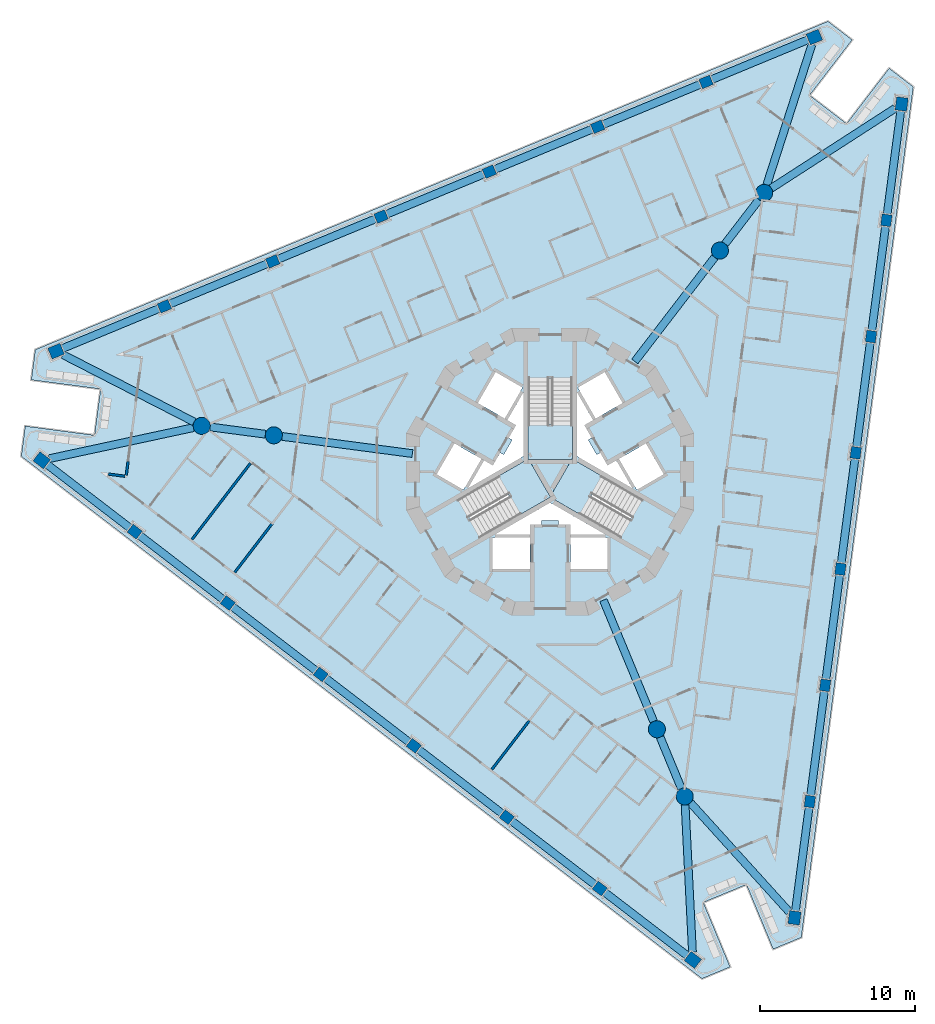
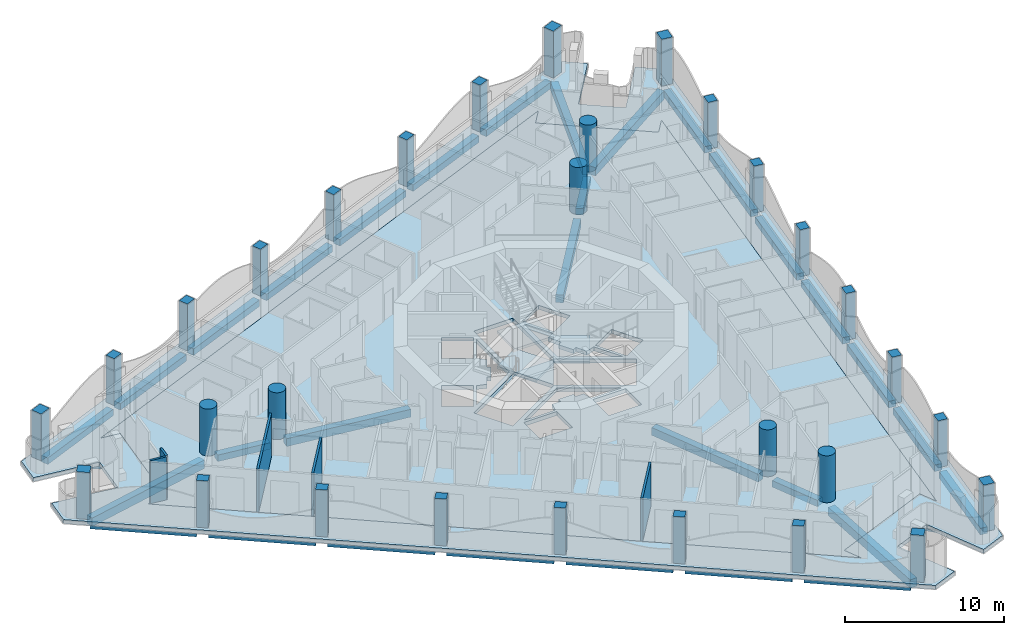
# One storey, part 1 of 18: 33 beams, 30 columns, 6 slabs, 5 walls, 3 elements without a shape of their own.
"""IFC4 building model written with IfcOpenShell, lengths in metres."""

from ifc_helpers import new_model, si_unit, direction, frame, frame_2d, origin, origin_2d, place, context, subcontext, project, spatial, polyline, rectangle, circle, outline, extrude, material, layer, layer_set, material_profile, profile_set, type_object, element, aggregate, save


model = new_model("IFC4")

# Units and contexts
model_context = context("Model", 3, precision=1e-05, world=origin(), true_north=direction((0.0, 1.0)))
body_context = subcontext(model_context, "Body", "Model", "MODEL_VIEW")
ifc_project = project(units=[si_unit("LENGTHUNIT", "METRE"), si_unit("AREAUNIT", "SQUARE_METRE"), si_unit("VOLUMEUNIT", "CUBIC_METRE"), si_unit("PLANEANGLEUNIT", "RADIAN"), si_unit("MASSUNIT", "GRAM", prefix="KILO")], contexts=[model_context])

# Site, building, storey
site_placement = place(None, origin())
site = spatial("IfcSite", under=ifc_project, at=site_placement, CompositionType="ELEMENT")
building_placement = place(site_placement, origin())
building = spatial("IfcBuilding", under=site, at=building_placement, Name="Trine Commons Tower", CompositionType="ELEMENT")
storey_placement = place(building_placement, frame((0.0, 0.0, 145.800048828125)))
storey = spatial("IfcBuildingStorey", under=building, at=storey_placement, Name="L37", CompositionType="ELEMENT", Elevation=145.800048828125)

# Columns
ifc_material_1 = material(Name="Concrete C70/85", Category="concrete")
ifc_material_profile_1 = material_profile(ifc_material_1, rectangle(XDim=0.75, YDim=0.64990234375, at=origin_2d()), Name="RC 750x650")
ifc_profile_set_1 = profile_set([ifc_material_profile_1], Name="Concrete C70/85")
column_type_1 = type_object("IfcColumnType", Name="RC column 750x650, C70/85", PredefinedType="COLUMN", material=ifc_profile_set_1)
for number, where, z_axis, x_axis, name in (
    (1, (83.197021484375, 35.652587890625, 0.0), (0.0, 0.0, 1.0), (-0.793353340291, 0.608761429009, 0.0), "Column PC4-02 L37"),
    (2, (77.20556640625, 40.25, 0.0), (0.0, 0.0, 1.0), (-0.793353340291, 0.608761429009, 0.0), "Column PC4-03 L37"),
    (3, (71.214111328125, 44.847412109375, 0.0), (0.0, 0.0, 1.0), (-0.793353340291, 0.608761429009, 0.0), "Column PC4-04 L37"),
    (4, (65.222900390625, 49.444580078125, 0.0), (0.0, 0.0, 1.0), (-0.793353340291, 0.608761429009, 0.0), "Column PC4-05 L37"),
    (5, (59.2314453125, 54.0419921875, 0.0), (0.0, 0.0, 1.0), (-0.793353340291, 0.608761429009, 0.0), "Column PC4-06 L37"),
    (6, (53.239990234375, 58.639404296875, 0.0), (0.0, 0.0, 1.0), (-0.793353340291, 0.608761429009, 0.0), "Column PC4-07 L37"),
    (7, (55.151123046875, 73.155029296875, 0.0), (0.0, 0.0, 1.0), (0.923879532511, 0.382683432365, 0.0), "Column PC4-10 L37"),
    (8, (62.128173828125, 76.044921875, 0.0), (0.0, 0.0, 1.0), (0.923879532511, 0.382683432365, 0.0), "Column PC4-11 L37"),
    (9, (69.105224609375, 78.93505859375, 0.0), (0.0, 0.0, 1.0), (0.923879532511, 0.382683432365, 0.0), "Column PC4-12 L37"),
    (10, (76.08251953125, 81.8251953125, 0.0), (0.0, 0.0, 1.0), (0.923879532511, 0.382683432365, 0.0), "Column PC4-13 L37"),
    (11, (83.0595703125, 84.715087890625, 0.0), (0.0, 0.0, 1.0), (0.923879532511, 0.382683432365, 0.0), "Column PC4-14 L37"),
    (12, (90.03662109375, 87.60498046875, 0.0), (0.0, 0.0, 1.0), (0.923879532511, 0.382683432365, 0.0), "Column PC4-15 L37"),
    (13, (101.652099609375, 78.692138671875, 0.0), (0.0, 0.0, 1.0), (0.13052619222, 0.991444861374, 0.0), "Column PC4-18 L37"),
    (14, (100.666259765625, 71.204833984375, 0.0), (0.0, 0.0, 1.0), (0.13052619222, 0.991444861374, 0.0), "Column PC4-19 L37"),
    (15, (99.680419921875, 63.717529296875, 0.0), (0.0, 0.0, 1.0), (0.13052619222, 0.991444861374, 0.0), "Column PC4-20 L37"),
    (16, (98.69482421875, 56.230224609375, 0.0), (0.0, 0.0, 1.0), (0.13052619222, 0.991444861374, 0.0), "Column PC4-21 L37"),
    (17, (97.708984375, 48.742919921875, 0.0), (0.0, 0.0, 1.0), (0.13052619222, 0.991444861374, 0.0), "Column PC4-22 L37"),
    (18, (96.723388671875, 41.255615234375, 0.0), (0.0, 0.0, 1.0), (0.13052619222, 0.991444861374, 0.0), "Column PC4-23 L37"),
):
    element("IfcColumn", number, at=place(storey_placement, frame(where, z_axis=z_axis, x_axis=x_axis)), inside=storey, type_object=column_type_1, Name=name, PredefinedType="COLUMN", context=body_context, shape_type="SweptSolid", body=[
        extrude(rectangle(XDim=0.75, YDim=0.64990234375, at=origin_2d()), origin(), (0.0, 0.0, 1.0), 3.599853515625),
    ])
ifc_material_profile_2 = material_profile(ifc_material_1, rectangle(XDim=0.85009765625, YDim=0.75, at=origin_2d()), Name="RC 850x750")
ifc_profile_set_2 = profile_set([ifc_material_profile_2], Name="Concrete C70/85")
column_type_2 = type_object("IfcColumnType", Name="RC column 850x750, C70/85", PredefinedType="COLUMN", material=ifc_profile_set_2)
for number, where, z_axis, x_axis, name in (
    (19, (89.188232421875, 31.055419921875, 0.0), (0.0, 0.0, 1.0), (-0.793353340291, 0.608761429009, 0.0), "Column PC4-01 L37"),
    (20, (47.248779296875, 63.23681640625, 0.0), (0.0, 0.0, 1.0), (-0.793353340291, 0.608761429009, 0.0), "Column PC4-08 L37"),
    (21, (48.174072265625, 70.264892578125, 0.0), (0.0, 0.0, 1.0), (0.923879532511, 0.382683432365, 0.0), "Column PC4-09 L37"),
    (22, (97.013671875, 90.4951171875, 0.0), (0.0, 0.0, 1.0), (0.923879532511, 0.382683432365, 0.0), "Column PC4-16 L37"),
    (23, (102.6376953125, 86.1796875, 0.0), (0.0, 0.0, 1.0), (0.13052619222, 0.991444861374, 0.0), "Column PC4-17 L37"),
    (24, (95.737548828125, 33.768310546875, 0.0), (0.0, 0.0, 1.0), (0.13052619222, 0.991444861374, 0.0), "Column PC4-24 L37"),
):
    element("IfcColumn", number, at=place(storey_placement, frame(where, z_axis=z_axis, x_axis=x_axis)), inside=storey, type_object=column_type_2, Name=name, PredefinedType="COLUMN", context=body_context, shape_type="SweptSolid", body=[
        extrude(rectangle(XDim=0.85009765625, YDim=0.75, at=origin_2d()), origin(), (0.0, 0.0, 1.0), 3.599853515625),
    ])
ifc_material_profile_3 = material_profile(ifc_material_1, circle(Radius=0.550048828125, at=origin_2d()), Name="RC round 1100")
ifc_profile_set_3 = profile_set([ifc_material_profile_3], Name="Concrete C70/85")
column_type_3 = type_object("IfcColumnType", Name="RC round column 1100 mm, C70/85", PredefinedType="COLUMN", material=ifc_profile_set_3)
for number, where, z_axis, x_axis, name in (
    (25, (86.87109375, 45.912109375, 0.0), (0.0, 0.0, 1.0), (1.0, 0.0, 0.0), "Column WC4-1 L37"),
    (26, (88.66259765625, 41.58642578125, 0.0), (0.0, 0.0, 1.0), (1.0, 0.0, 0.0), "Column WC4-2 L37"),
    (27, (90.93017578125, 76.744384765625, 0.0), (0.0, 0.0, 1.0), (1.0, 0.0, 0.0), "Column WC4-3 L37"),
    (28, (93.7802734375, 80.458984375, 0.0), (0.0, 0.0, 1.0), (1.0, 0.0, 0.0), "Column WC4-4 L37"),
    (29, (62.198974609375, 64.843505859375, 0.0), (0.0, 0.0, 1.0), (1.0, 0.0, 0.0), "Column WC4-5 L37"),
    (30, (57.556884765625, 65.45458984375, 0.0), (0.0, 0.0, 1.0), (1.0, 0.0, 0.0), "Column WC4-6 L37"),
):
    element("IfcColumn", number, at=place(storey_placement, frame(where, z_axis=z_axis, x_axis=x_axis)), inside=storey, type_object=column_type_3, Name=name, PredefinedType="COLUMN", context=body_context, shape_type="SweptSolid", body=[
        extrude(circle(Radius=0.550048828125, at=origin_2d()), origin(), (0.0, 0.0, 1.0), 3.599853515625),
    ])

# Beams
ifc_material_2 = material(Name="Concrete C50/60", Category="concrete")
ifc_material_profile_4 = material_profile(ifc_material_2, rectangle(XDim=0.5, YDim=0.5, at=origin_2d()), Name="RC 500x500")
ifc_profile_set_4 = profile_set([ifc_material_profile_4], Name="Concrete C50/60")
beam_type_1 = type_object("IfcBeamType", Name="RC beam 500x500, C50/60", PredefinedType="BEAM", material=ifc_profile_set_4)
beam_1_placement = place(storey_placement, frame((88.85107421875, 31.314208984375, -0.550048828125), z_axis=(-0.793369431695, 0.608740457709, 0.0), x_axis=(-0.608740457709, -0.793369431695, 0.0)))
element("IfcBeam", 31, at=beam_1_placement, inside=storey, type_object=beam_type_1, Name="Beam EB4-01 L37", PredefinedType="BEAM", context=body_context, shape_type="SweptSolid", body=[
    extrude(rectangle(XDim=0.5, YDim=0.5, at=origin_2d()), origin(), (0.0, 0.0, 1.0), 6.751708984375),
])
beam_2_placement = place(storey_placement, frame((82.8994140625, 35.881103515625, -0.550048828125), z_axis=(-0.793370600973, 0.60873893379, 0.0), x_axis=(-0.60873893379, -0.793370600973, 0.0)))
element("IfcBeam", 32, at=beam_2_placement, inside=storey, type_object=beam_type_1, Name="Beam EB4-02 L37", PredefinedType="BEAM", context=body_context, shape_type="SweptSolid", body=[
    extrude(rectangle(XDim=0.5, YDim=0.5, at=origin_2d()), origin(), (0.0, 0.0, 1.0), 6.802001953125),
])
beam_3_placement = place(storey_placement, frame((76.907958984375, 40.478515625, -0.550048828125), z_axis=(-0.793357299922, 0.608756268682, 0.0), x_axis=(-0.608756268682, -0.793357299922, 0.0)))
element("IfcBeam", 33, at=beam_3_placement, inside=storey, type_object=beam_type_1, Name="Beam EB4-03 L37", PredefinedType="BEAM", context=body_context, shape_type="SweptSolid", body=[
    extrude(rectangle(XDim=0.5, YDim=0.5, at=origin_2d()), origin(), (0.0, 0.0, 1.0), 6.8017578125),
])
beam_4_placement = place(storey_placement, frame((70.916748046875, 45.07568359375, -0.550048828125), z_axis=(-0.793370600973, 0.60873893379, 0.0), x_axis=(-0.60873893379, -0.793370600973, 0.0)))
element("IfcBeam", 34, at=beam_4_placement, inside=storey, type_object=beam_type_1, Name="Beam EB4-04 L37", PredefinedType="BEAM", context=body_context, shape_type="SweptSolid", body=[
    extrude(rectangle(XDim=0.5, YDim=0.5, at=origin_2d()), origin(), (0.0, 0.0, 1.0), 6.802001953125),
])
beam_5_placement = place(storey_placement, frame((64.92529296875, 49.673095703125, -0.550048828125), z_axis=(-0.793357299922, 0.608756268682, 0.0), x_axis=(-0.608756268682, -0.793357299922, 0.0)))
element("IfcBeam", 35, at=beam_5_placement, inside=storey, type_object=beam_type_1, Name="Beam EB4-05 L37", PredefinedType="BEAM", context=body_context, shape_type="SweptSolid", body=[
    extrude(rectangle(XDim=0.5, YDim=0.5, at=origin_2d()), origin(), (0.0, 0.0, 1.0), 6.8017578125),
])
beam_6_placement = place(storey_placement, frame((58.93408203125, 54.2705078125, -0.550048828125), z_axis=(-0.793370600973, 0.60873893379, 0.0), x_axis=(-0.60873893379, -0.793370600973, 0.0)))
element("IfcBeam", 36, at=beam_6_placement, inside=storey, type_object=beam_type_1, Name="Beam EB4-06 L37", PredefinedType="BEAM", context=body_context, shape_type="SweptSolid", body=[
    extrude(rectangle(XDim=0.5, YDim=0.5, at=origin_2d()), origin(), (0.0, 0.0, 1.0), 6.802001953125),
])
for number, where, z_axis, x_axis, name in (
    (37, (52.942626953125, 58.86767578125, -0.550048828125), (-0.793351968439, 0.608763216838, 0.0), (-0.608763216838, -0.793351968439, 0.0), "Beam EB4-07 L37"),
    (38, (48.566650390625, 70.427490234375, -0.550048828125), (0.923874044744, 0.382696680739, 0.0), (-0.382696680739, 0.923874044744, 0.0), "Beam EB4-08 L37"),
):
    element("IfcBeam", number, at=place(storey_placement, frame(where, z_axis=z_axis, x_axis=x_axis)), inside=storey, type_object=beam_type_1, Name=name, PredefinedType="BEAM", context=body_context, shape_type="SweptSolid", body=[
        extrude(rectangle(XDim=0.5, YDim=0.5, at=origin_2d()), origin(), (0.0, 0.0, 1.0), 6.751953125),
    ])
for number, where, z_axis, x_axis, name in (
    (39, (55.49755859375, 73.298583984375, -0.550048828125), (0.923877719045, 0.38268781043, 0.0), (-0.38268781043, 0.923877719045, 0.0), "Beam EB4-09 L37"),
    (40, (62.474609375, 76.1884765625, -0.550048828125), (0.923877719045, 0.38268781043, 0.0), (-0.38268781043, 0.923877719045, 0.0), "Beam EB4-10 L37"),
):
    element("IfcBeam", number, at=place(storey_placement, frame(where, z_axis=z_axis, x_axis=x_axis)), inside=storey, type_object=beam_type_1, Name=name, PredefinedType="BEAM", context=body_context, shape_type="SweptSolid", body=[
        extrude(rectangle(XDim=0.5, YDim=0.5, at=origin_2d()), origin(), (0.0, 0.0, 1.0), 6.802001953125),
    ])
for number, where, z_axis, x_axis, name in (
    (41, (69.451904296875, 79.07861328125, -0.550048828125), (0.923872462302, 0.382700500915, 0.0), (-0.382700500915, 0.923872462302, 0.0), "Beam EB4-11 L37"),
    (42, (76.428955078125, 81.968505859375, -0.550048828125), (0.923872462302, 0.382700500915, 0.0), (-0.382700500915, 0.923872462302, 0.0), "Beam EB4-12 L37"),
):
    element("IfcBeam", number, at=place(storey_placement, frame(where, z_axis=z_axis, x_axis=x_axis)), inside=storey, type_object=beam_type_1, Name=name, PredefinedType="BEAM", context=body_context, shape_type="SweptSolid", body=[
        extrude(rectangle(XDim=0.5, YDim=0.5, at=origin_2d()), origin(), (0.0, 0.0, 1.0), 6.8017578125),
    ])
beam_7_placement = place(storey_placement, frame((83.406005859375, 84.858642578125, -0.550048828125), z_axis=(0.923877719045, 0.38268781043, 0.0), x_axis=(-0.38268781043, 0.923877719045, 0.0)))
element("IfcBeam", 43, at=beam_7_placement, inside=storey, type_object=beam_type_1, Name="Beam EB4-13 L37", PredefinedType="BEAM", context=body_context, shape_type="SweptSolid", body=[
    extrude(rectangle(XDim=0.5, YDim=0.5, at=origin_2d()), origin(), (0.0, 0.0, 1.0), 6.802001953125),
])
beam_8_placement = place(storey_placement, frame((90.383056640625, 87.74853515625, -0.550048828125), z_axis=(0.923874044744, 0.382696680739, 0.0), x_axis=(-0.382696680739, 0.923874044744, 0.0)))
element("IfcBeam", 44, at=beam_8_placement, inside=storey, type_object=beam_type_1, Name="Beam EB4-14 L37", PredefinedType="BEAM", context=body_context, shape_type="SweptSolid", body=[
    extrude(rectangle(XDim=0.5, YDim=0.5, at=origin_2d()), origin(), (0.0, 0.0, 1.0), 6.751953125),
])
beam_9_placement = place(storey_placement, frame((102.582275390625, 85.75830078125, -0.550048828125), z_axis=(-0.130529338233, -0.991444447188, 0.0), x_axis=(0.991444447188, -0.130529338233, 0.0)))
element("IfcBeam", 45, at=beam_9_placement, inside=storey, type_object=beam_type_1, Name="Beam EB4-15 L37", PredefinedType="BEAM", context=body_context, shape_type="SweptSolid", body=[
    extrude(rectangle(XDim=0.5, YDim=0.5, at=origin_2d()), origin(), (0.0, 0.0, 1.0), 6.752197265625),
])
for number, where, z_axis, x_axis, name in (
    (46, (101.60302734375, 78.3203125, -0.550048828125), (-0.13054364647, -0.991442563322, 0.0), (0.991442563322, -0.13054364647, 0.0), "Beam EB4-16 L37"),
    (47, (100.6171875, 70.8330078125, -0.550048828125), (-0.13050836468, -0.991447208251, 0.0), (0.991447208251, -0.13050836468, 0.0), "Beam EB4-17 L37"),
    (48, (99.631591796875, 63.345703125, -0.550048828125), (-0.13054364647, -0.991442563322, 0.0), (0.991442563322, -0.13054364647, 0.0), "Beam EB4-18 L37"),
    (49, (98.64599609375, 55.8583984375, -0.550048828125), (-0.13054364647, -0.991442563322, 0.0), (0.991442563322, -0.13054364647, 0.0), "Beam EB4-19 L37"),
    (50, (97.66015625, 48.37109375, -0.550048828125), (-0.13054364647, -0.991442563322, 0.0), (0.991442563322, -0.13054364647, 0.0), "Beam EB4-20 L37"),
):
    element("IfcBeam", number, at=place(storey_placement, frame(where, z_axis=z_axis, x_axis=x_axis)), inside=storey, type_object=beam_type_1, Name=name, PredefinedType="BEAM", context=body_context, shape_type="SweptSolid", body=[
        extrude(rectangle(XDim=0.5, YDim=0.5, at=origin_2d()), origin(), (0.0, 0.0, 1.0), 6.8017578125),
    ])
beam_10_placement = place(storey_placement, frame((96.67431640625, 40.8837890625, -0.550048828125), z_axis=(-0.130498474521, -0.991448510084, 0.0), x_axis=(0.991448510084, -0.130498474521, 0.0)))
element("IfcBeam", 51, at=beam_10_placement, inside=storey, type_object=beam_type_1, Name="Beam EB4-21 L37", PredefinedType="BEAM", context=body_context, shape_type="SweptSolid", body=[
    extrude(rectangle(XDim=0.5, YDim=0.5, at=origin_2d()), origin(), (0.0, 0.0, 1.0), 6.751708984375),
])
beam_11_placement = place(storey_placement, frame((87.08154296875, 45.40380859375, -0.550048828125), z_axis=(0.382644753509, -0.92389555287, 0.0), x_axis=(0.92389555287, 0.382644753509, 0.0)))
element("IfcBeam", 52, at=beam_11_placement, inside=storey, type_object=beam_type_1, Name="Beam RB4-02 L37", PredefinedType="BEAM", context=body_context, shape_type="SweptSolid", body=[
    extrude(rectangle(XDim=0.5, YDim=0.5, at=origin_2d()), origin(), (0.0, 0.0, 1.0), 3.58203125),
])
beam_12_placement = place(storey_placement, frame((91.2646484375, 77.180419921875, -0.550048828125), z_axis=(0.608761938472, 0.793352949366, 0.0), x_axis=(-0.793352949366, 0.608761938472, 0.0)))
element("IfcBeam", 53, at=beam_12_placement, inside=storey, type_object=beam_type_1, Name="Beam RB4-04 L37", PredefinedType="BEAM", context=body_context, shape_type="SweptSolid", body=[
    extrude(rectangle(XDim=0.5, YDim=0.5, at=origin_2d()), origin(), (0.0, 0.0, 1.0), 3.5830078125),
])
beam_13_placement = place(storey_placement, frame((61.654296875, 64.915283203125, -0.550048828125), z_axis=(-0.991441999821, 0.13054792603, 0.0), x_axis=(-0.13054792603, -0.991441999821, 0.0)))
element("IfcBeam", 54, at=beam_13_placement, inside=storey, type_object=beam_type_1, Name="Beam RB4-06 L37", PredefinedType="BEAM", context=body_context, shape_type="SweptSolid", body=[
    extrude(rectangle(XDim=0.5, YDim=0.5, at=origin_2d()), origin(), (0.0, 0.0, 1.0), 3.583251953125),
])
ifc_material_profile_5 = material_profile(ifc_material_2, rectangle(XDim=0.5, YDim=0.60009765625, at=origin_2d()), Name="RC 500x600")
ifc_profile_set_5 = profile_set([ifc_material_profile_5], Name="Concrete C50/60")
beam_type_2 = type_object("IfcBeamType", Name="RC beam 500x600, C50/60", PredefinedType="BEAM", material=ifc_profile_set_5)
beam_14_placement = place(storey_placement, frame((83.426025390625, 54.228515625, -0.60009765625), z_axis=(0.382688551836, -0.92387741194, 0.0), x_axis=(0.92387741194, 0.382688551836, 0.0)))
element("IfcBeam", 55, at=beam_14_placement, inside=storey, type_object=beam_type_2, Name="Beam RB4-01 L37", PredefinedType="BEAM", context=body_context, shape_type="SweptSolid", body=[
    extrude(rectangle(XDim=0.5, YDim=0.60009765625, at=origin_2d()), origin(), (0.0, 0.0, 1.0), 8.45166015625),
])
for number, where, z_axis, x_axis, name in (
    (56, (85.4501953125, 69.602783203125, -0.60009765625), (0.608758331545, 0.793355717049, 0.0), (-0.793355717049, 0.608758331545, 0.0), "Beam RB4-03 L37"),
    (57, (71.123779296875, 63.668701171875, -0.60009765625), (-0.991444756637, 0.130526987771, 0.0), (-0.130526987771, -0.991444756637, 0.0), "Beam RB4-05 L37"),
):
    element("IfcBeam", number, at=place(storey_placement, frame(where, z_axis=z_axis, x_axis=x_axis)), inside=storey, type_object=beam_type_2, Name=name, PredefinedType="BEAM", context=body_context, shape_type="SweptSolid", body=[
        extrude(rectangle(XDim=0.5, YDim=0.60009765625, at=origin_2d()), origin(), (0.0, 0.0, 1.0), 8.452392578125),
    ])
ifc_material_profile_6 = material_profile(ifc_material_2, rectangle(XDim=0.5, YDim=0.64990234375, at=origin_2d()), Name="RC 500x650")
ifc_profile_set_6 = profile_set([ifc_material_profile_6], Name="Concrete C50/60")
beam_type_3 = type_object("IfcBeamType", Name="RC beam 500x650, C50/60", PredefinedType="BEAM", material=ifc_profile_set_6)
for number, where, z_axis, x_axis, name in (
    (58, (47.729736328125, 63.340087890625, -0.625), (0.977623092321, 0.210364182695, 0.0), (-0.210364182695, 0.977623092321, 0.0), "Beam CB4-01 L37"),
    (59, (48.61181640625, 70.04052734375, -0.625), (0.88987015168, -0.456213889692, 0.0), (0.456213889692, 0.88987015168, 0.0), "Beam CB4-02 L37"),
):
    element("IfcBeam", number, at=place(storey_placement, frame(where, z_axis=z_axis, x_axis=x_axis)), inside=storey, type_object=beam_type_3, Name=name, PredefinedType="BEAM", context=body_context, shape_type="SweptSolid", body=[
        extrude(rectangle(XDim=0.5, YDim=0.64990234375, at=origin_2d()), origin(), (0.0, 0.0, 1.0), 9.502685546875),
    ])
for number, where, z_axis, x_axis, name in (
    (60, (96.86279296875, 90.026611328125, -0.625), (-0.306661957359, -0.951818493153, 0.0), (0.951818493153, -0.306661957359, 0.0), "Beam CB4-03 L37"),
    (61, (102.224365234375, 85.91259765625, -0.625), (-0.840029620135, -0.542540539772, 0.0), (0.542540539772, -0.840029620135, 0.0), "Beam CB4-04 L37"),
):
    element("IfcBeam", number, at=place(storey_placement, frame(where, z_axis=z_axis, x_axis=x_axis)), inside=storey, type_object=beam_type_3, Name=name, PredefinedType="BEAM", context=body_context, shape_type="SweptSolid", body=[
        extrude(rectangle(XDim=0.5, YDim=0.64990234375, at=origin_2d()), origin(), (0.0, 0.0, 1.0), 9.50244140625),
    ])
beam_15_placement = place(storey_placement, frame((95.407470703125, 34.133056640625, -0.625), z_axis=(-0.670979247329, 0.74147612885, 0.0), x_axis=(-0.74147612885, -0.670979247329, 0.0)))
element("IfcBeam", 62, at=beam_15_placement, inside=storey, type_object=beam_type_3, Name="Beam CB4-05 L37", PredefinedType="BEAM", context=body_context, shape_type="SweptSolid", body=[
    extrude(rectangle(XDim=0.5, YDim=0.64990234375, at=origin_2d()), origin(), (0.0, 0.0, 1.0), 9.5029296875),
])
beam_16_placement = place(storey_placement, frame((89.163818359375, 31.546875, -0.625), z_axis=(-0.049841513837, 0.998757139398, 0.0), x_axis=(-0.998757139398, -0.049841513837, 0.0)))
element("IfcBeam", 63, at=beam_16_placement, inside=storey, type_object=beam_type_3, Name="Beam CB4-06 L37", PredefinedType="BEAM", context=body_context, shape_type="SweptSolid", body=[
    extrude(rectangle(XDim=0.5, YDim=0.64990234375, at=origin_2d()), origin(), (0.0, 0.0, 1.0), 9.502685546875),
])

# Slabs
ifc_layer_1 = layer(ifc_material_2, 0.300048828125)
ifc_layer_set_1 = layer_set([ifc_layer_1], Name="Concrete C50/60")
slab_type_1 = type_object("IfcSlabType", Name="Loggia slab 300 mm, C50/60", PredefinedType="FLOOR", material=ifc_layer_set_1)
slab_1_placement = place(storey_placement, frame((0.0, 0.0, -0.300048828125)))
element("IfcSlab", 64, at=slab_1_placement, inside=storey, type_object=slab_type_1, Name="Loggia slab L37", PredefinedType="FLOOR", context=body_context, shape_type="SweptSolid", body=[
    extrude(outline(polyline([(96.17578125, 32.500244140625), (103.38916015625, 87.291015625), (101.8310546875, 88.48681640625), (99.091552734375, 84.91650390625), (96.71142578125, 86.742919921875), (99.450927734375, 90.31298828125), (97.892578125, 91.508544921875), (46.835693359375, 70.360107421875), (46.579345703125, 68.412841796875), (51.041015625, 67.825439453125), (50.6494140625, 64.85107421875), (46.187744140625, 65.4384765625), (45.931396484375, 63.4912109375), (89.77490234375, 29.848876953125), (91.589599609375, 30.6005859375), (89.867431640625, 34.758056640625), (92.63916015625, 35.906005859375), (94.361328125, 31.74853515625), (96.17578125, 32.500244140625)]), holes=[polyline([(87.24658203125, 34.814208984375), (86.731689453125, 36.056884765625), (93.93798828125, 39.041748046875), (94.452880859375, 37.799072265625), (100.353271484375, 82.618408203125), (99.53466796875, 81.551513671875), (93.346435546875, 86.2998046875), (94.165283203125, 87.366943359375), (52.400146484375, 70.067138671875), (53.733642578125, 69.8916015625), (52.715576171875, 62.158447265625), (51.382080078125, 62.333984375), (87.24658203125, 34.814208984375)])]), origin(), (0.0, 0.0, 1.0), 0.300048828125),
])
ifc_layer_2 = layer(ifc_material_2, 0.300048828125)
ifc_layer_set_2 = layer_set([ifc_layer_2], Name="Concrete C50/60")
slab_type_2 = type_object("IfcSlabType", Name="PT flat slab 300 mm, C50/60", PredefinedType="FLOOR", material=ifc_layer_set_2)
slab_2_placement = place(storey_placement, frame((0.0, 0.0, -0.300048828125)))
element("IfcSlab", 65, at=slab_2_placement, inside=storey, type_object=slab_type_2, Name="Floor slab L37", PredefinedType="FLOOR", context=body_context, shape_type="SweptSolid", body=[
    extrude(outline(polyline([(51.382080078125, 62.333984375), (87.24658203125, 34.814208984375), (86.731689453125, 36.056884765625), (93.93798828125, 39.041748046875), (94.452880859375, 37.799072265625), (100.353271484375, 82.618408203125), (99.53466796875, 81.551513671875), (93.346435546875, 86.2998046875), (94.165283203125, 87.366943359375), (52.400146484375, 70.067138671875), (53.733642578125, 69.8916015625), (52.715576171875, 62.158447265625), (51.382080078125, 62.333984375)]), holes=[polyline([(78.699951171875, 56.25), (78.699951171875, 58.25), (76.300048828125, 58.25), (76.300048828125, 56.25), (78.699951171875, 56.25)]), polyline([(80.0, 60.8544921875), (84.4755859375, 58.2705078125), (85.900390625, 60.73876953125), (81.425048828125, 63.32275390625), (81.425048828125, 68.490478515625), (78.574951171875, 68.490478515625), (78.574951171875, 63.32275390625), (74.099609375, 60.73876953125), (75.5244140625, 58.2705078125), (80.0, 60.8544921875)]), polyline([(73.83740234375, 64.325927734375), (72.687255859375, 62.333984375), (74.41943359375, 61.333984375), (75.5693359375, 63.325927734375), (73.83740234375, 64.325927734375)]), polyline([(76.381103515625, 63.031005859375), (75.742919921875, 63.22607421875), (74.7099609375, 61.43798828125), (78.27490234375, 63.49609375), (78.27490234375, 67.612060546875), (77.242919921875, 65.823974609375), (77.73095703125, 65.368896484375), (77.3310546875, 64.676025390625), (77.555908203125, 64.5458984375), (77.006103515625, 63.593994140625), (76.781005859375, 63.722900390625), (76.381103515625, 63.031005859375)]), polyline([(76.4873046875, 68.916015625), (75.33740234375, 66.924072265625), (77.0693359375, 65.924072265625), (78.219482421875, 67.916015625), (76.4873046875, 68.916015625)]), polyline([(83.699951171875, 56.25), (83.699951171875, 58.25), (81.300048828125, 58.25), (81.300048828125, 56.25), (83.699951171875, 56.25)]), polyline([(81.14990234375, 59.10009765625), (81.300048828125, 58.449951171875), (83.56494140625, 58.449951171875), (80.0, 60.508056640625), (76.43505859375, 58.449951171875), (78.699951171875, 58.449951171875), (78.85009765625, 59.10009765625), (79.449951171875, 59.10009765625), (79.449951171875, 59.360107421875), (80.550048828125, 59.360107421875), (80.550048828125, 59.10009765625), (81.14990234375, 59.10009765625)]), polyline([(86.16259765625, 64.325927734375), (84.4306640625, 63.325927734375), (85.58056640625, 61.333984375), (87.312744140625, 62.333984375), (86.16259765625, 64.325927734375)]), polyline([(83.243896484375, 63.738037109375), (82.993896484375, 63.593994140625), (82.444091796875, 64.5458984375), (82.72705078125, 64.7099609375), (82.281005859375, 65.549072265625), (82.757080078125, 65.823974609375), (81.72509765625, 67.612060546875), (81.72509765625, 63.49609375), (85.2900390625, 61.43798828125), (84.257080078125, 63.22607421875), (83.618896484375, 63.031005859375), (83.243896484375, 63.738037109375)]), polyline([(84.66259765625, 66.924072265625), (83.5126953125, 68.916015625), (81.780517578125, 67.916015625), (82.9306640625, 65.924072265625), (84.66259765625, 66.924072265625)])]), origin(), (0.0, 0.0, 1.0), 0.300048828125),
])
slab_3_placement = place(storey_placement, frame((0.0, 0.0, -0.300048828125)))
element("IfcSlab", 66, at=slab_3_placement, inside=storey, type_object=slab_type_2, Name="Floor slab L37 2", PredefinedType="FLOOR", context=body_context, shape_type="SweptSolid", body=[
    extrude(outline(polyline([(78.61328125, 63.300537109375), (80.0, 60.89892578125), (81.38671875, 63.300537109375), (78.61328125, 63.300537109375)])), origin(), (0.0, 0.0, 1.0), 0.300048828125),
])

# Stair, slab
stair_type = type_object("IfcStairType", Name="Exit stair, dog-leg, 24 risers of 150 mm", PredefinedType="HALF_TURN_STAIR", material=ifc_material_2)
stair_1_placement = place(storey_placement, origin())
stair_1 = element("IfcStair", 67, at=stair_1_placement, inside=storey, type_object=stair_type, Name="L37 Exit stair ST1B", PredefinedType="HALF_TURN_STAIR")
ifc_layer_3 = layer(ifc_material_2, 0.199951171875)
ifc_layer_set_3 = layer_set([ifc_layer_3], Name="Concrete C50/60")
slab_type_3 = type_object("IfcSlabType", Name="Stair landing slab 200 mm, C50/60", PredefinedType="LANDING", material=ifc_layer_set_3)
slab_4_placement = place(storey_placement, frame((0.0, 0.0, 1.599853515625)))
slab_4 = element("IfcSlab", 68, at=slab_4_placement, type_object=slab_type_3, Name="ST1B landing 1", PredefinedType="LANDING", context=body_context, shape_type="SweptSolid", body=[
    extrude(outline(polyline([(78.574951171875, 65.570556640625), (78.574951171875, 63.300537109375), (81.425048828125, 63.300537109375), (81.425048828125, 65.570556640625), (78.574951171875, 65.570556640625)])), origin(), (0.0, 0.0, 1.0), 0.2001953125),
])
aggregate(stair_1, [slab_4])

stair_2_placement = place(storey_placement, origin())
stair_2 = element("IfcStair", 69, at=stair_2_placement, inside=storey, type_object=stair_type, Name="L37 Exit stair ST2B", PredefinedType="HALF_TURN_STAIR")
slab_5_placement = place(storey_placement, frame((0.0, 0.0, 1.599853515625)))
slab_5 = element("IfcSlab", 70, at=slab_5_placement, type_object=slab_type_3, Name="ST2B landing 1", PredefinedType="LANDING", context=body_context, shape_type="SweptSolid", body=[
    extrude(outline(polyline([(78.05322265625, 59.730712890625), (80.019287109375, 60.86572265625), (78.59423828125, 63.333740234375), (76.628173828125, 62.19873046875), (78.05322265625, 59.730712890625)])), origin(), (0.0, 0.0, 1.0), 0.2001953125),
])
aggregate(stair_2, [slab_5])

stair_3_placement = place(storey_placement, origin())
stair_3 = element("IfcStair", 71, at=stair_3_placement, inside=storey, type_object=stair_type, Name="L37 Exit stair ST3B", PredefinedType="HALF_TURN_STAIR")
slab_6_placement = place(storey_placement, frame((0.0, 0.0, 1.599853515625)))
slab_6 = element("IfcSlab", 72, at=slab_6_placement, type_object=slab_type_3, Name="ST3B landing 1", PredefinedType="LANDING", context=body_context, shape_type="SweptSolid", body=[
    extrude(outline(polyline([(83.371826171875, 62.19873046875), (81.40576171875, 63.333740234375), (79.980712890625, 60.86572265625), (81.94677734375, 59.730712890625), (83.371826171875, 62.19873046875)])), origin(), (0.0, 0.0, 1.0), 0.2001953125),
])
aggregate(stair_3, [slab_6])

# Walls
ifc_material_3 = material(Name="Aluminium-framed insulated wall panel", Category="aluminium")
ifc_layer_4 = layer(ifc_material_3, 0.14990234375)
ifc_layer_set_4 = layer_set([ifc_layer_4], Name="Aluminium-framed insulated wall panel")
wall_type_1 = type_object("IfcWallType", Name="Glazed frame wall 150, EI 60", PredefinedType="SOLIDWALL", material=ifc_layer_set_4)
wall_1_placement = place(storey_placement, frame((51.38671875, 62.36865234375, 0.0), z_axis=(0.0, 0.0, 1.0), x_axis=(0.991446880033, -0.130510858064, 0.0)))
element("IfcWall", 73, at=wall_1_placement, inside=storey, type_object=wall_type_1, Name="Glazed frame wall R1", PredefinedType="SOLIDWALL", context=body_context, shape_type="SweptSolid", body=[
    extrude(outline(polyline([(0.1494140625, 0.074951171875), (0.1494140625, -0.074951171875), (1.235107421875, -0.074951171875), (1.235107421875, 0.074951171875), (0.1494140625, 0.074951171875)])), origin(), (0.0, 0.0, 1.0), 3.300048828125),
])
wall_2_placement = place(storey_placement, frame((52.680908203125, 62.1630859375, 0.0), z_axis=(0.0, 0.0, 1.0), x_axis=(0.130403976344, 0.991460943736, 0.0)))
element("IfcWall", 74, at=wall_2_placement, inside=storey, type_object=wall_type_1, Name="Glazed frame wall P1.1", PredefinedType="SOLIDWALL", context=body_context, shape_type="SweptSolid", body=[
    extrude(outline(polyline([(0.110107421875, -0.074951171875), (1.0, -0.074951171875), (1.0, 0.074951171875), (0.110107421875, 0.074951171875), (0.110107421875, -0.074951171875)])), origin(), (0.0, 0.0, 1.0), 3.300048828125),
])
ifc_material_4 = material(Name="Gypsum plasterboard on steel stud", Category="steel")
ifc_layer_5 = layer(ifc_material_4, 0.14990234375)
ifc_layer_set_5 = layer_set([ifc_layer_5], Name="Gypsum plasterboard on steel stud")
wall_type_2 = type_object("IfcWallType", Name="Unit and corridor wall 150 mm, EI 60", PredefinedType="PARTITIONING", material=ifc_layer_set_5)
wall_3_placement = place(storey_placement, frame((56.92431640625, 58.131591796875, 0.0), z_axis=(0.0, 0.0, 1.0), x_axis=(0.608635904236, 0.793449643062, 0.0)))
element("IfcWall", 75, at=wall_3_placement, inside=storey, type_object=wall_type_2, Name="Partition 004", PredefinedType="PARTITIONING", context=body_context, shape_type="SweptSolid", body=[
    extrude(rectangle(XDim=6.194091796875, YDim=0.14990234375, at=frame_2d((3.09716796875, 0.0))), origin(), (0.0, 0.0, 1.0), 3.300048828125),
])
wall_4_placement = place(storey_placement, frame((59.682373046875, 56.0146484375, 0.0), z_axis=(0.0, 0.0, 1.0), x_axis=(0.608733348698, 0.793374886282, 0.0)))
element("IfcWall", 76, at=wall_4_placement, inside=storey, type_object=wall_type_2, Name="Partition 011", PredefinedType="PARTITIONING", context=body_context, shape_type="SweptSolid", body=[
    extrude(rectangle(XDim=3.973388671875, YDim=0.14990234375, at=frame_2d((1.98681640625, 0.0))), origin(), (0.0, 0.0, 1.0), 3.300048828125),
])
wall_5_placement = place(storey_placement, frame((76.2353515625, 43.313720703125, 0.0), z_axis=(0.0, 0.0, 1.0), x_axis=(0.608928617035, 0.793225024413, 0.0)))
element("IfcWall", 77, at=wall_5_placement, inside=storey, type_object=wall_type_2, Name="Partition 063", PredefinedType="PARTITIONING", context=body_context, shape_type="SweptSolid", body=[
    extrude(rectangle(XDim=3.96875, YDim=0.14990234375, at=frame_2d((1.984375, 0.0))), origin(), (0.0, 0.0, 1.0), 3.300048828125),
])

save(model, "model.ifc")
